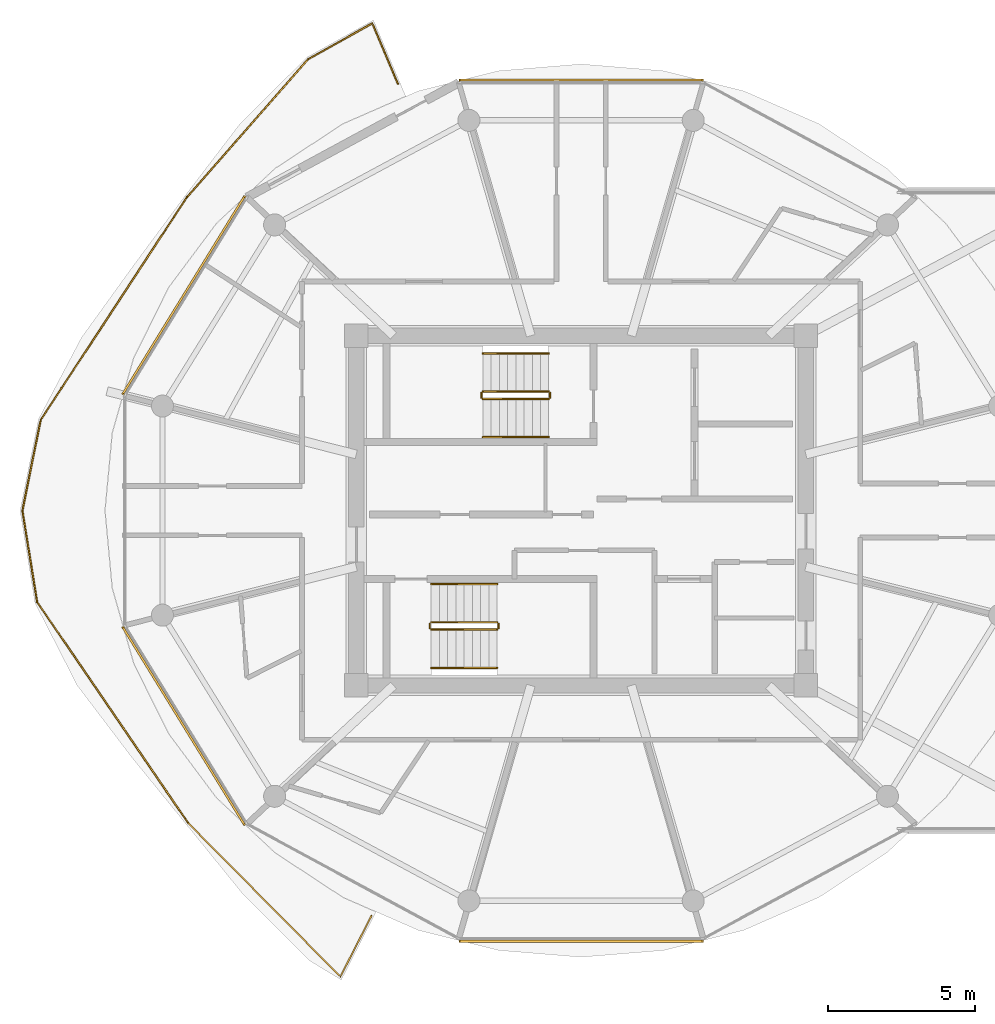
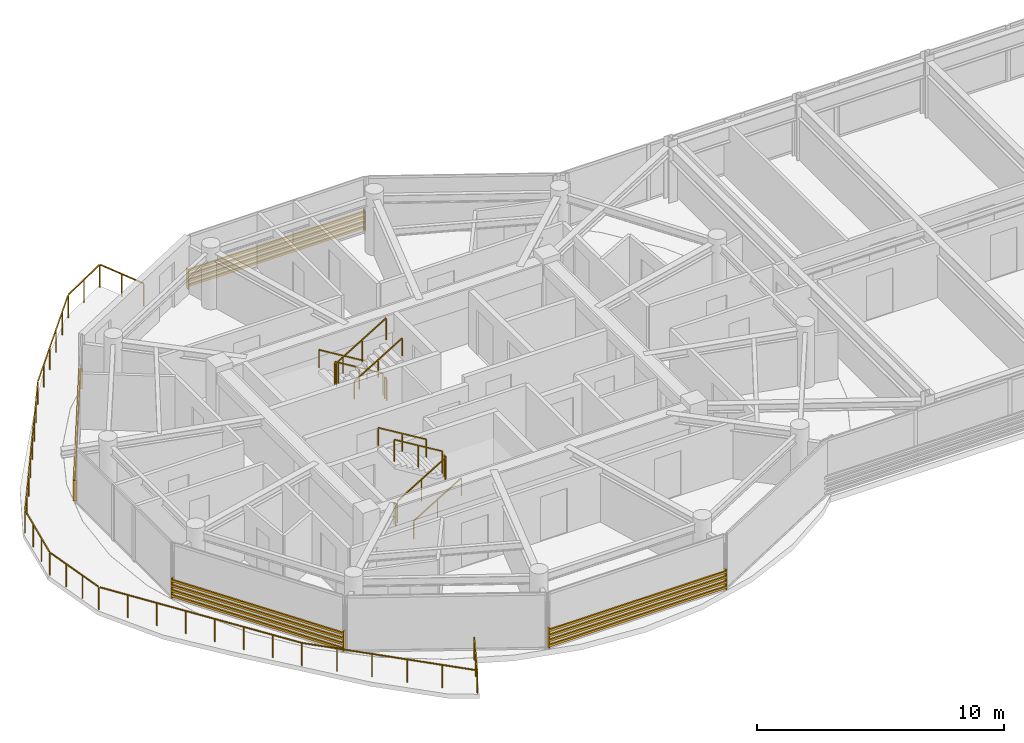
# One storey, part 21 of 23: 14 railings, 4 shading devices.
"""IFC4 building model written with IfcOpenShell, lengths in metres."""

import ifcopenshell
import ifcopenshell.guid

model = None  # the IFC model being written
_history = None  # IfcOwnerHistory: only IFC2X3 demands one
_inside = {}  # id of a spatial element -> (the spatial element, [elements in it])
_under = {}  # id of a project, library or spatial element -> (it, [spatial elements below it])
_declared = {}  # id of a project -> (the project, [libraries it declares])
_typed = {}  # id of a type object -> (the type object, [elements of that type])
_made_of = {}  # id of a material, layer set ... -> (it, [elements and type objects made of it])


def new_model(schema):
    """Start an empty IFC model of exactly this schema.

    Asked for "IFC4X3", IfcOpenShell would pick the latest addendum, in which some entities
    have other attributes; the version numbers below select the first issue.
    IFC2X3 requires an IfcOwnerHistory on every rooted entity: one is made here for all.
    """
    global model, _history
    if schema == "IFC4X3":
        model = ifcopenshell.file(schema_version=(4, 3, 0, 0))
    else:
        model = ifcopenshell.file(schema=schema)
    _inside.clear()
    _under.clear()
    _declared.clear()
    _typed.clear()
    _made_of.clear()
    _history = None
    if model.schema == "IFC2X3":
        org = make("IfcOrganization", Name="unknown")
        user = make(
            "IfcPersonAndOrganization",
            ThePerson=make("IfcPerson", FamilyName="unknown"),
            TheOrganization=org,
        )
        app = make(
            "IfcApplication",
            ApplicationDeveloper=org,
            Version="unknown",
            ApplicationFullName="unknown",
            ApplicationIdentifier="unknown",
        )
        _history = make(
            "IfcOwnerHistory",
            OwningUser=user,
            OwningApplication=app,
            ChangeAction="ADDED",
            CreationDate=0,
        )
    return model


def make(cls, **values):
    """One entity of the class cls with the attributes given. An attribute that is None is left unset."""
    return model.create_entity(
        cls, **{name: value for name, value in values.items() if value is not None}
    )


def rooted(cls, **values):
    """An entity with a GlobalId (a new one), such as an element, a storey or a relation."""
    return make(cls, GlobalId=ifcopenshell.guid.new(), OwnerHistory=_history, **values)


def si_unit(unit_type, name, prefix=None):
    """IfcSIUnit, for example si_unit("LENGTHUNIT", "METRE", prefix="MILLI")."""
    return make("IfcSIUnit", UnitType=unit_type, Prefix=prefix, Name=name)


def assignment(units):
    """IfcUnitAssignment: the units of a project."""
    return None if units is None else make("IfcUnitAssignment", Units=units)


def point(xyz):
    """IfcCartesianPoint."""
    return None if xyz is None else make("IfcCartesianPoint", Coordinates=xyz)


def direction(xyz):
    """IfcDirection."""
    return None if xyz is None else make("IfcDirection", DirectionRatios=xyz)


def frame(location, z_axis=None, x_axis=None):
    """IfcAxis2Placement3D, a coordinate frame: its origin and axes. An axis left out is left unset."""
    return make(
        "IfcAxis2Placement3D",
        Location=point(location),
        Axis=direction(z_axis),
        RefDirection=direction(x_axis),
    )


def frame_2d(location, x_axis=None):
    """IfcAxis2Placement2D, a coordinate frame in the plane: its origin and x axis."""
    return make(
        "IfcAxis2Placement2D", Location=point(location), RefDirection=direction(x_axis)
    )


def origin():
    """The frame at (0, 0, 0) with its axes left unset."""
    return frame((0.0, 0.0, 0.0))


def origin_2d():
    """The frame at (0, 0) in the plane with its x axis left unset."""
    return frame_2d((0.0, 0.0))


def place(relative_to, where):
    """IfcLocalPlacement: puts the frame where relative to a parent placement (None: the world)."""
    return make(
        "IfcLocalPlacement", PlacementRelTo=relative_to, RelativePlacement=where
    )


def context(
    kind, dimensions, precision=None, world=None, true_north=None, identifier=None
):
    """IfcGeometricRepresentationContext, for example the 3D "Model" context."""
    return make(
        "IfcGeometricRepresentationContext",
        ContextIdentifier=identifier,
        ContextType=kind,
        CoordinateSpaceDimension=dimensions,
        Precision=precision,
        WorldCoordinateSystem=world,
        TrueNorth=true_north,
    )


def subcontext(parent, identifier, kind, view, scale=None):
    """IfcGeometricRepresentationSubContext, for example "Body" below "Model"."""
    return make(
        "IfcGeometricRepresentationSubContext",
        ContextIdentifier=identifier,
        ContextType=kind,
        ParentContext=parent,
        TargetScale=scale,
        TargetView=view,
    )


def project(units=None, contexts=None):
    """IfcProject with its units and contexts."""
    return rooted(
        "IfcProject",
        Name="project",
        RepresentationContexts=contexts,
        UnitsInContext=assignment(units),
    )


def spatial(cls, under=None, at=None, **own):
    """A site, building, storey or space (cls), placed at a placement, below another one or the project."""
    s = rooted(cls, ObjectPlacement=at, **own)
    if under is not None:
        _under.setdefault(under.id(), (under, []))[1].append(s)
    return s


def profile(cls, at=None, kind="AREA", **sizes):
    """A parametric profile (cls). Its sizes go by their IFC names, for example OverallWidth=200.0."""
    return make(cls, ProfileType=kind, Position=at, **sizes)


def rectangle(**sizes):
    """IfcRectangleProfileDef."""
    return profile("IfcRectangleProfileDef", **sizes)


def extrude(swept, where, along, depth):
    """IfcExtrudedAreaSolid: the profile swept, set in the frame where, extruded along a direction by depth."""
    return make(
        "IfcExtrudedAreaSolid",
        SweptArea=swept,
        Position=where,
        ExtrudedDirection=direction(along),
        Depth=depth,
    )


def shape(context_of_items, identifier, shape_type, items):
    """IfcShapeRepresentation: the items that make up one representation, for example the "Body"."""
    return make(
        "IfcShapeRepresentation",
        ContextOfItems=context_of_items,
        RepresentationIdentifier=identifier,
        RepresentationType=shape_type,
        Items=items,
    )


def source(mapping_origin, context_of_items, identifier, shape_type, items):
    """IfcRepresentationMap: a shape defined once, which mapped items show again and again."""
    return make(
        "IfcRepresentationMap",
        MappingOrigin=mapping_origin,
        MappedRepresentation=shape(context_of_items, identifier, shape_type, items),
    )


def transform(
    local_origin,
    x_axis=None,
    y_axis=None,
    z_axis=None,
    scale=None,
    scale2=None,
    scale3=None,
    uniform=True,
):
    """IfcCartesianTransformationOperator3D, or its non-uniform kind. x_axis, y_axis, z_axis: its Axis1, 2, 3."""
    if uniform:
        return make(
            "IfcCartesianTransformationOperator3D",
            Axis1=direction(x_axis),
            Axis2=direction(y_axis),
            LocalOrigin=point(local_origin),
            Scale=scale,
            Axis3=direction(z_axis),
        )
    return make(
        "IfcCartesianTransformationOperator3DnonUniform",
        Axis1=direction(x_axis),
        Axis2=direction(y_axis),
        LocalOrigin=point(local_origin),
        Scale=scale,
        Axis3=direction(z_axis),
        Scale2=scale2,
        Scale3=scale3,
    )


def mapped(mapping_source, mapping_target):
    """IfcMappedItem: shows the shape of a source again, moved by a transform."""
    return make(
        "IfcMappedItem", MappingSource=mapping_source, MappingTarget=mapping_target
    )


def material(Name=None, Category=None):
    """IfcMaterial."""
    return make("IfcMaterial", Name=Name, Category=Category)


def made_of(thing, what):
    """Note that an element or type object is made of a material, layer set ...; save() writes the relation."""
    if what is not None:
        _made_of.setdefault(what.id(), (what, []))[1].append(thing)
    return thing


def type_object(cls, material=None, **own):
    """A type object (cls), such as IfcWallType, which elements share."""
    return made_of(rooted(cls, **own), material)


def type_shapes(of_type, sources):
    """Give a type object the sources (RepresentationMaps) that its elements show as mapped items."""
    of_type.RepresentationMaps = sources


def element(
    cls,
    number,
    at=None,
    inside=None,
    cuts=None,
    type_object=None,
    material=None,
    context=None,
    identifier="Body",
    shape_type=None,
    held_by="IfcProductDefinitionShape",
    body=None,
    shapes=None,
    **own,
):
    """One element of the class cls, such as IfcWall. Its Tag is "e" and its number.

    at: its placement. inside: the storey or other place that contains it. cuts: it is an
    opening in that element (IfcRelVoidsElement). A single representation is given by context,
    identifier, shape_type and body (its items); several are given by shapes. held_by: the class
    of the entity that holds the representations. save() writes the other relations.
    """
    e = rooted(cls, Tag="e%d" % number, ObjectPlacement=at, **own)
    if body is not None:
        shapes = [shape(context, identifier, shape_type, body)]
    if shapes is not None:
        e.Representation = make(held_by, Representations=shapes)
    if inside is not None:
        _inside.setdefault(inside.id(), (inside, []))[1].append(e)
    if cuts is not None:
        rooted(
            "IfcRelVoidsElement", RelatingBuildingElement=cuts, RelatedOpeningElement=e
        )
    if type_object is not None:
        _typed.setdefault(type_object.id(), (type_object, []))[1].append(e)
    return made_of(e, material)


def aggregate(whole, parts):
    """IfcRelAggregates: a whole, such as a stair, and the parts it consists of."""
    return rooted("IfcRelAggregates", RelatingObject=whole, RelatedObjects=parts)


def save(model, path):
    """Write the relations noted so far, then the file.

    IfcRelAggregates (storeys below a building ...), IfcRelContainedInSpatialStructure (elements
    in a storey), IfcRelDefinesByType, IfcRelAssociatesMaterial and IfcRelDeclares: one each for
    every whole, place, type object, material and project.
    """
    for whole, parts in _under.values():
        aggregate(whole, parts)
    for where, things in _inside.values():
        rooted(
            "IfcRelContainedInSpatialStructure",
            RelatedElements=things,
            RelatingStructure=where,
        )
    for kind, things in _typed.values():
        rooted("IfcRelDefinesByType", RelatedObjects=things, RelatingType=kind)
    for what, things in _made_of.values():
        rooted("IfcRelAssociatesMaterial", RelatedObjects=things, RelatingMaterial=what)
    for by, libraries in _declared.values():
        rooted("IfcRelDeclares", RelatingContext=by, RelatedDefinitions=libraries)
    model.write(path)


model = new_model("IFC4")

# Units and contexts
model_context = context("Model", 3, precision=1e-05, world=origin(), true_north=direction((0.0, 1.0)))
body_context = subcontext(model_context, "Body", "Model", "MODEL_VIEW")
ifc_project = project(units=[si_unit("LENGTHUNIT", "METRE"), si_unit("AREAUNIT", "SQUARE_METRE"), si_unit("VOLUMEUNIT", "CUBIC_METRE"), si_unit("PLANEANGLEUNIT", "RADIAN"), si_unit("MASSUNIT", "GRAM", prefix="KILO")], contexts=[model_context])

# Site, building, storey
site_placement = place(None, origin())
site = spatial("IfcSite", under=ifc_project, at=site_placement, CompositionType="ELEMENT")
building_placement = place(site_placement, origin())
building = spatial("IfcBuilding", under=site, at=building_placement, Name="Norrkilde Senior Care Towers", CompositionType="ELEMENT")
storey_placement = place(building_placement, frame((0.0, 0.0, 207.800048828125)))
storey = spatial("IfcBuildingStorey", under=building, at=storey_placement, Name="L64", CompositionType="ELEMENT", Elevation=207.800048828125)

# Railings
ifc_material_1 = material(Name="Anodised Aluminium", Category="aluminium")
railing_type_1 = type_object("IfcRailingType", Name="Balcony Swirl Ribbon Guardrail 1150", PredefinedType="GUARDRAIL", material=ifc_material_1)
railing_1_placement = place(storey_placement, frame((-41.371337890625, -10.63525390625, 0.0)))
element("IfcRailing", 1, at=railing_1_placement, inside=storey, type_object=railing_type_1, Name="L64 Perimeter Safety Guard 03", PredefinedType="GUARDRAIL", context=body_context, shape_type="SweptSolid", body=[
    extrude(rectangle(XDim=0.048095703125, YDim=0.048095703125, at=origin_2d()), frame((0.0, 0.0, 1.1259765625), z_axis=(-0.564140289712, 0.825678953059, 0.0), x_axis=(-0.825678953059, -0.564140289712, 0.0)), (0.0, 0.0, 1.0), 9.073486328125),
    extrude(rectangle(XDim=0.048095703125, YDim=0.048095703125, at=origin_2d()), frame((-5.1484375, 7.56591796875, 1.1259765625), z_axis=(-0.159215370949, 0.987243873444, 0.0), x_axis=(-0.987243873444, -0.159215370949, 0.0)), (0.0, 0.0, 1.0), 3.06640625),
    extrude(rectangle(XDim=0.048095703125, YDim=0.048095703125, at=origin_2d()), frame((-5.635009765625, 10.673583984375, 1.1259765625), z_axis=(0.197636778585, 0.980275320382, 0.0), x_axis=(-0.980275320382, 0.197636778585, 0.0)), (0.0, 0.0, 1.0), 3.06689453125),
    extrude(rectangle(XDim=0.048095703125, YDim=0.048095703125, at=origin_2d()), frame((-4.998291015625, 13.75439453125, 1.1259765625), z_axis=(0.548715768945, 0.836008974181, 0.0), x_axis=(-0.836008974181, 0.548715768945, 0.0)), (0.0, 0.0, 1.0), 8.99658203125),
    extrude(rectangle(XDim=0.048095703125, YDim=0.048095703125, at=origin_2d()), frame((-0.01220703125, 21.340576171875, 1.1259765625), z_axis=(0.660605887268, 0.75073288306, 0.0), x_axis=(-0.75073288306, 0.660605887268, 0.0)), (0.0, 0.0, 1.0), 6.170166015625),
    extrude(rectangle(XDim=0.048095703125, YDim=0.048095703125, at=origin_2d()), frame((4.12646484375, 26.0234375, 1.1259765625), z_axis=(0.872986395306, 0.487744557745, 0.0), x_axis=(-0.487744557745, 0.872986395306, 0.0)), (0.0, 0.0, 1.0), 2.411865234375),
    extrude(rectangle(XDim=0.048095703125, YDim=0.048095703125, at=origin_2d()), frame((6.28369140625, 27.18212890625, 1.1259765625), z_axis=(0.389618616962, -0.920976293569, 0.0), x_axis=(0.920976293569, 0.389618616962, 0.0)), (0.0, 0.0, 1.0), 2.19482421875),
    extrude(rectangle(XDim=0.0419921875, YDim=0.0419921875, at=origin_2d()), origin(), (0.0, 0.0, 1.0), 1.099853515625),
    extrude(rectangle(XDim=0.0419921875, YDim=0.0419921875, at=origin_2d()), frame((-0.734619140625, 1.0751953125, 0.0)), (0.0, 0.0, 1.0), 1.099853515625),
    extrude(rectangle(XDim=0.0419921875, YDim=0.0419921875, at=origin_2d()), frame((-1.468994140625, 2.150146484375, 0.0)), (0.0, 0.0, 1.0), 1.099853515625),
    extrude(rectangle(XDim=0.0419921875, YDim=0.0419921875, at=origin_2d()), frame((-2.20361328125, 3.225341796875, 0.0)), (0.0, 0.0, 1.0), 1.099853515625),
    extrude(rectangle(XDim=0.0419921875, YDim=0.0419921875, at=origin_2d()), frame((-2.938232421875, 4.30029296875, 0.0)), (0.0, 0.0, 1.0), 1.099853515625),
    extrude(rectangle(XDim=0.0419921875, YDim=0.0419921875, at=origin_2d()), frame((-3.6728515625, 5.37548828125, 0.0)), (0.0, 0.0, 1.0), 1.099853515625),
    extrude(rectangle(XDim=0.0419921875, YDim=0.0419921875, at=origin_2d()), frame((-4.4072265625, 6.450439453125, 0.0)), (0.0, 0.0, 1.0), 1.099853515625),
    extrude(rectangle(XDim=0.0419921875, YDim=0.0419921875, at=origin_2d()), frame((-5.141845703125, 7.525634765625, 0.0)), (0.0, 0.0, 1.0), 1.099853515625),
    extrude(rectangle(XDim=0.0419921875, YDim=0.0419921875, at=origin_2d()), frame((-5.308837890625, 8.5615234375, 0.0)), (0.0, 0.0, 1.0), 1.099853515625),
    extrude(rectangle(XDim=0.0419921875, YDim=0.0419921875, at=origin_2d()), frame((-5.47607421875, 9.59765625, 0.0)), (0.0, 0.0, 1.0), 1.099853515625),
    extrude(rectangle(XDim=0.0419921875, YDim=0.0419921875, at=origin_2d()), frame((-5.64306640625, 10.633544921875, 0.0)), (0.0, 0.0, 1.0), 1.099853515625),
    extrude(rectangle(XDim=0.0419921875, YDim=0.0419921875, at=origin_2d()), frame((-5.435546875, 11.662353515625, 0.0)), (0.0, 0.0, 1.0), 1.099853515625),
    extrude(rectangle(XDim=0.0419921875, YDim=0.0419921875, at=origin_2d()), frame((-5.228271484375, 12.69140625, 0.0)), (0.0, 0.0, 1.0), 1.099853515625),
    extrude(rectangle(XDim=0.0419921875, YDim=0.0419921875, at=origin_2d()), frame((-5.020751953125, 13.72021484375, 0.0)), (0.0, 0.0, 1.0), 1.099853515625),
    extrude(rectangle(XDim=0.0419921875, YDim=0.0419921875, at=origin_2d()), frame((-4.30908203125, 14.804443359375, 0.0)), (0.0, 0.0, 1.0), 1.099853515625),
    extrude(rectangle(XDim=0.0419921875, YDim=0.0419921875, at=origin_2d()), frame((-3.597412109375, 15.888671875, 0.0)), (0.0, 0.0, 1.0), 1.099853515625),
    extrude(rectangle(XDim=0.0419921875, YDim=0.0419921875, at=origin_2d()), frame((-2.8857421875, 16.972900390625, 0.0)), (0.0, 0.0, 1.0), 1.099853515625),
    extrude(rectangle(XDim=0.0419921875, YDim=0.0419921875, at=origin_2d()), frame((-2.17431640625, 18.05712890625, 0.0)), (0.0, 0.0, 1.0), 1.099853515625),
    extrude(rectangle(XDim=0.0419921875, YDim=0.0419921875, at=origin_2d()), frame((-1.462646484375, 19.141357421875, 0.0)), (0.0, 0.0, 1.0), 1.099853515625),
    extrude(rectangle(XDim=0.0419921875, YDim=0.0419921875, at=origin_2d()), frame((-0.7509765625, 20.2255859375, 0.0)), (0.0, 0.0, 1.0), 1.099853515625),
    extrude(rectangle(XDim=0.0419921875, YDim=0.0419921875, at=origin_2d()), frame((-0.039306640625, 21.309814453125, 0.0)), (0.0, 0.0, 1.0), 1.099853515625),
    extrude(rectangle(XDim=0.0419921875, YDim=0.0419921875, at=origin_2d()), frame((0.78662109375, 22.24853515625, 0.0)), (0.0, 0.0, 1.0), 1.099853515625),
    extrude(rectangle(XDim=0.0419921875, YDim=0.0419921875, at=origin_2d()), frame((1.61279296875, 23.187255859375, 0.0)), (0.0, 0.0, 1.0), 1.099853515625),
    extrude(rectangle(XDim=0.0419921875, YDim=0.0419921875, at=origin_2d()), frame((2.438720703125, 24.1259765625, 0.0)), (0.0, 0.0, 1.0), 1.099853515625),
    extrude(rectangle(XDim=0.0419921875, YDim=0.0419921875, at=origin_2d()), frame((3.264892578125, 25.064697265625, 0.0)), (0.0, 0.0, 1.0), 1.099853515625),
    extrude(rectangle(XDim=0.0419921875, YDim=0.0419921875, at=origin_2d()), frame((4.0908203125, 26.00341796875, 0.0)), (0.0, 0.0, 1.0), 1.099853515625),
    extrude(rectangle(XDim=0.0419921875, YDim=0.0419921875, at=origin_2d()), frame((5.17919921875, 26.611572265625, 0.0)), (0.0, 0.0, 1.0), 1.099853515625),
    extrude(rectangle(XDim=0.0419921875, YDim=0.0419921875, at=origin_2d()), frame((6.267822265625, 27.2197265625, 0.0)), (0.0, 0.0, 1.0), 1.099853515625),
    extrude(rectangle(XDim=0.0419921875, YDim=0.0419921875, at=origin_2d()), frame((6.703369140625, 26.190185546875, 0.0)), (0.0, 0.0, 1.0), 1.099853515625),
    extrude(rectangle(XDim=0.0419921875, YDim=0.0419921875, at=origin_2d()), frame((7.138916015625, 25.16064453125, 0.0)), (0.0, 0.0, 1.0), 1.099853515625),
])
railing_2_placement = place(storey_placement, frame((-35.130126953125, -13.784423828125, 0.0)))
element("IfcRailing", 2, at=railing_2_placement, inside=storey, type_object=railing_type_1, Name="L64 Perimeter Safety Guard 04", PredefinedType="GUARDRAIL", context=body_context, shape_type="SweptSolid", body=[
    extrude(rectangle(XDim=0.048095703125, YDim=0.048095703125, at=origin_2d()), frame((0.0, 0.0, 1.1259765625), z_axis=(-0.454853051584, -0.890566505919, 0.0), x_axis=(0.890566505919, -0.454853051584, 0.0)), (0.0, 0.0, 1.0), 2.29345703125),
    extrude(rectangle(XDim=0.048095703125, YDim=0.048095703125, at=origin_2d()), frame((-1.090576171875, -2.0498046875, 1.1259765625), z_axis=(-0.703798208364, 0.710399945034, 0.0), x_axis=(-0.710399945034, -0.703798208364, 0.0)), (0.0, 0.0, 1.0), 7.318359375),
    extrude(rectangle(XDim=0.0419921875, YDim=0.0419921875, at=origin_2d()), origin(), (0.0, 0.0, 1.0), 1.099853515625),
    extrude(rectangle(XDim=0.0419921875, YDim=0.0419921875, at=origin_2d()), frame((-0.53076171875, -1.03955078125, 0.0)), (0.0, 0.0, 1.0), 1.099853515625),
    extrude(rectangle(XDim=0.0419921875, YDim=0.0419921875, at=origin_2d()), frame((-1.061767578125, -2.078857421875, 0.0)), (0.0, 0.0, 1.0), 1.099853515625),
    extrude(rectangle(XDim=0.0419921875, YDim=0.0419921875, at=origin_2d()), frame((-2.09765625, -1.033203125, 0.0)), (0.0, 0.0, 1.0), 1.099853515625),
    extrude(rectangle(XDim=0.0419921875, YDim=0.0419921875, at=origin_2d()), frame((-3.133544921875, 0.012451171875, 0.0)), (0.0, 0.0, 1.0), 1.099853515625),
    extrude(rectangle(XDim=0.0419921875, YDim=0.0419921875, at=origin_2d()), frame((-4.16943359375, 1.057861328125, 0.0)), (0.0, 0.0, 1.0), 1.099853515625),
    extrude(rectangle(XDim=0.0419921875, YDim=0.0419921875, at=origin_2d()), frame((-5.205322265625, 2.103515625, 0.0)), (0.0, 0.0, 1.0), 1.099853515625),
    extrude(rectangle(XDim=0.0419921875, YDim=0.0419921875, at=origin_2d()), frame((-6.2412109375, 3.149169921875, 0.0)), (0.0, 0.0, 1.0), 1.099853515625),
])
ifc_material_2 = material(Name="Stainless Steel", Category="steel")
railing_type_2 = type_object("IfcRailingType", Name="Stair and Terrace Guardrail 1100", PredefinedType="GUARDRAIL", material=ifc_material_2)
railing_3_placement = place(storey_placement, frame((-29.10009765625, 4.050048828125, 0.16943359375)))
element("IfcRailing", 3, at=railing_3_placement, inside=storey, type_object=railing_type_2, Name="L64 ST-W1 stair guard 1", PredefinedType="GUARDRAIL", context=body_context, shape_type="SweptSolid", body=[
    extrude(rectangle(XDim=0.048095703125, YDim=0.048095703125, at=origin_2d()), frame((0.0, 0.0, 1.076171875), z_axis=(-0.855553338991, 0.0, 0.51771467445), x_axis=(0.0, -1.0, 0.0)), (0.0, 0.0, 1.0), 2.6181640625),
    extrude(rectangle(XDim=0.0419921875, YDim=0.0419921875, at=origin_2d()), origin(), (0.0, 0.0, 1.0), 1.050048828125),
    extrude(rectangle(XDim=0.0419921875, YDim=0.0419921875, at=origin_2d()), frame((-1.1201171875, 0.0, 0.677734375)), (0.0, 0.0, 1.0), 1.050048828125),
    extrude(rectangle(XDim=0.0419921875, YDim=0.0419921875, at=origin_2d()), frame((-2.239990234375, 0.0, 1.35546875)), (0.0, 0.0, 1.0), 1.050048828125),
])
railing_4_placement = place(storey_placement, frame((-31.389892578125, 4.0, 1.52490234375)))
element("IfcRailing", 4, at=railing_4_placement, inside=storey, type_object=railing_type_2, Name="L64 ST-W1 stair guard 2", PredefinedType="GUARDRAIL", context=body_context, shape_type="SweptSolid", body=[
    extrude(rectangle(XDim=0.048095703125, YDim=0.048095703125, at=origin_2d()), frame((0.0, 0.0, 1.076171875), z_axis=(0.0, -1.0, 0.0), x_axis=(1.0, 0.0, 0.0)), (0.0, 0.0, 1.0), 0.14990234375),
    extrude(rectangle(XDim=0.0419921875, YDim=0.0419921875, at=origin_2d()), origin(), (0.0, 0.0, 1.0), 1.050048828125),
    extrude(rectangle(XDim=0.0419921875, YDim=0.0419921875, at=origin_2d()), frame((0.0, -0.14990234375, 0.0)), (0.0, 0.0, 1.0), 1.050048828125),
])
railing_5_placement = place(storey_placement, frame((-31.340087890625, 3.800048828125, 1.6943359375)))
element("IfcRailing", 5, at=railing_5_placement, inside=storey, type_object=railing_type_2, Name="L64 ST-W1 stair guard 3", PredefinedType="GUARDRAIL", context=body_context, shape_type="SweptSolid", body=[
    extrude(rectangle(XDim=0.048095703125, YDim=0.048095703125, at=origin_2d()), frame((0.0, 0.0, 1.076171875), z_axis=(0.855512035549, 0.0, 0.517782924622), x_axis=(0.0, 1.0, 0.0)), (0.0, 0.0, 1.0), 2.618408203125),
    extrude(rectangle(XDim=0.0419921875, YDim=0.0419921875, at=origin_2d()), origin(), (0.0, 0.0, 1.0), 1.050048828125),
    extrude(rectangle(XDim=0.0419921875, YDim=0.0419921875, at=origin_2d()), frame((1.1201171875, 0.0, 0.677734375)), (0.0, 0.0, 1.0), 1.050048828125),
    extrude(rectangle(XDim=0.0419921875, YDim=0.0419921875, at=origin_2d()), frame((2.239990234375, 0.0, 1.355712890625)), (0.0, 0.0, 1.0), 1.050048828125),
])
railing_6_placement = place(storey_placement, frame((-29.050048828125, 4.0, 0.0)))
element("IfcRailing", 6, at=railing_6_placement, inside=storey, type_object=railing_type_2, Name="L64 ST-W1 stair guard 4", PredefinedType="GUARDRAIL", context=body_context, shape_type="SweptSolid", body=[
    extrude(rectangle(XDim=0.048095703125, YDim=0.048095703125, at=origin_2d()), frame((0.0, 0.0, 1.076171875), z_axis=(0.0, -1.0, 0.0), x_axis=(1.0, 0.0, 0.0)), (0.0, 0.0, 1.0), 0.14990234375),
    extrude(rectangle(XDim=0.0419921875, YDim=0.0419921875, at=origin_2d()), origin(), (0.0, 0.0, 1.0), 1.050048828125),
    extrude(rectangle(XDim=0.0419921875, YDim=0.0419921875, at=origin_2d()), frame((0.0, -0.14990234375, 0.0)), (0.0, 0.0, 1.0), 1.050048828125),
])
railing_7_placement = place(storey_placement, frame((-33.10009765625, -4.050048828125, 0.16943359375)))
element("IfcRailing", 7, at=railing_7_placement, inside=storey, type_object=railing_type_2, Name="L64 ST-W2 stair guard 1", PredefinedType="GUARDRAIL", context=body_context, shape_type="SweptSolid", body=[
    extrude(rectangle(XDim=0.048095703125, YDim=0.048095703125, at=origin_2d()), frame((0.0, 0.0, 1.076171875), z_axis=(0.855553338991, 0.0, 0.51771467445), x_axis=(0.0, 1.0, 0.0)), (0.0, 0.0, 1.0), 2.6181640625),
    extrude(rectangle(XDim=0.0419921875, YDim=0.0419921875, at=origin_2d()), origin(), (0.0, 0.0, 1.0), 1.050048828125),
    extrude(rectangle(XDim=0.0419921875, YDim=0.0419921875, at=origin_2d()), frame((1.1201171875, 0.0, 0.677734375)), (0.0, 0.0, 1.0), 1.050048828125),
    extrude(rectangle(XDim=0.0419921875, YDim=0.0419921875, at=origin_2d()), frame((2.239990234375, 0.0, 1.35546875)), (0.0, 0.0, 1.0), 1.050048828125),
])
railing_8_placement = place(storey_placement, frame((-30.81005859375, -4.0, 1.52490234375)))
element("IfcRailing", 8, at=railing_8_placement, inside=storey, type_object=railing_type_2, Name="L64 ST-W2 stair guard 2", PredefinedType="GUARDRAIL", context=body_context, shape_type="SweptSolid", body=[
    extrude(rectangle(XDim=0.048095703125, YDim=0.048095703125, at=origin_2d()), frame((0.0, 0.0, 1.076171875), z_axis=(0.0, 1.0, 0.0), x_axis=(-1.0, 0.0, 0.0)), (0.0, 0.0, 1.0), 0.14990234375),
    extrude(rectangle(XDim=0.0419921875, YDim=0.0419921875, at=origin_2d()), origin(), (0.0, 0.0, 1.0), 1.050048828125),
    extrude(rectangle(XDim=0.0419921875, YDim=0.0419921875, at=origin_2d()), frame((0.0, 0.14990234375, 0.0)), (0.0, 0.0, 1.0), 1.050048828125),
])
railing_9_placement = place(storey_placement, frame((-30.860107421875, -3.800048828125, 1.6943359375)))
element("IfcRailing", 9, at=railing_9_placement, inside=storey, type_object=railing_type_2, Name="L64 ST-W2 stair guard 3", PredefinedType="GUARDRAIL", context=body_context, shape_type="SweptSolid", body=[
    extrude(rectangle(XDim=0.048095703125, YDim=0.048095703125, at=origin_2d()), frame((0.0, 0.0, 1.076171875), z_axis=(-0.855512035549, 0.0, 0.517782924622), x_axis=(0.0, -1.0, 0.0)), (0.0, 0.0, 1.0), 2.618408203125),
    extrude(rectangle(XDim=0.0419921875, YDim=0.0419921875, at=origin_2d()), origin(), (0.0, 0.0, 1.0), 1.050048828125),
    extrude(rectangle(XDim=0.0419921875, YDim=0.0419921875, at=origin_2d()), frame((-1.1201171875, 0.0, 0.677734375)), (0.0, 0.0, 1.0), 1.050048828125),
    extrude(rectangle(XDim=0.0419921875, YDim=0.0419921875, at=origin_2d()), frame((-2.239990234375, 0.0, 1.355712890625)), (0.0, 0.0, 1.0), 1.050048828125),
])
railing_10_placement = place(storey_placement, frame((-33.14990234375, -4.0, 0.0)))
element("IfcRailing", 10, at=railing_10_placement, inside=storey, type_object=railing_type_2, Name="L64 ST-W2 stair guard 4", PredefinedType="GUARDRAIL", context=body_context, shape_type="SweptSolid", body=[
    extrude(rectangle(XDim=0.048095703125, YDim=0.048095703125, at=origin_2d()), frame((0.0, 0.0, 1.076171875), z_axis=(0.0, 1.0, 0.0), x_axis=(-1.0, 0.0, 0.0)), (0.0, 0.0, 1.0), 0.14990234375),
    extrude(rectangle(XDim=0.0419921875, YDim=0.0419921875, at=origin_2d()), origin(), (0.0, 0.0, 1.0), 1.050048828125),
    extrude(rectangle(XDim=0.0419921875, YDim=0.0419921875, at=origin_2d()), frame((0.0, 0.14990234375, 0.0)), (0.0, 0.0, 1.0), 1.050048828125),
])
ifc_material_3 = material(Name="Nordic Ash Timber", Category="wood")
railing_type_3 = type_object("IfcRailingType", Name="Wall and Stair Handrail 900", PredefinedType="HANDRAIL", material=ifc_material_3)
railing_11_placement = place(storey_placement, frame((-29.10009765625, 5.35009765625, 0.16943359375)))
element("IfcRailing", 11, at=railing_11_placement, inside=storey, type_object=railing_type_3, Name="L64 ST-W1 stair handrail 1", PredefinedType="HANDRAIL", context=body_context, shape_type="SweptSolid", body=[
    extrude(rectangle(XDim=0.048095703125, YDim=0.048095703125, at=origin_2d()), frame((0.0, 0.0, 0.8759765625), z_axis=(-0.855553338991, 0.0, 0.51771467445), x_axis=(0.0, -1.0, 0.0)), (0.0, 0.0, 1.0), 2.6181640625),
    extrude(rectangle(XDim=0.0419921875, YDim=0.0419921875, at=origin_2d()), origin(), (0.0, 0.0, 1.0), 0.849853515625),
    extrude(rectangle(XDim=0.0419921875, YDim=0.0419921875, at=origin_2d()), frame((-1.1201171875, 0.0, 0.677734375)), (0.0, 0.0, 1.0), 0.849853515625),
    extrude(rectangle(XDim=0.0419921875, YDim=0.0419921875, at=origin_2d()), frame((-2.239990234375, 0.0, 1.35546875)), (0.0, 0.0, 1.0), 0.849853515625),
])
railing_12_placement = place(storey_placement, frame((-31.340087890625, 2.5, 1.6943359375)))
element("IfcRailing", 12, at=railing_12_placement, inside=storey, type_object=railing_type_3, Name="L64 ST-W1 stair handrail 2", PredefinedType="HANDRAIL", context=body_context, shape_type="SweptSolid", body=[
    extrude(rectangle(XDim=0.048095703125, YDim=0.048095703125, at=origin_2d()), frame((0.0, 0.0, 0.8759765625), z_axis=(0.855512035549, 0.0, 0.517782924622), x_axis=(0.0, 1.0, 0.0)), (0.0, 0.0, 1.0), 2.618408203125),
    extrude(rectangle(XDim=0.0419921875, YDim=0.0419921875, at=origin_2d()), origin(), (0.0, 0.0, 1.0), 0.849853515625),
    extrude(rectangle(XDim=0.0419921875, YDim=0.0419921875, at=origin_2d()), frame((1.1201171875, 0.0, 0.677734375)), (0.0, 0.0, 1.0), 0.849853515625),
    extrude(rectangle(XDim=0.0419921875, YDim=0.0419921875, at=origin_2d()), frame((2.239990234375, 0.0, 1.355712890625)), (0.0, 0.0, 1.0), 0.849853515625),
])
railing_13_placement = place(storey_placement, frame((-33.10009765625, -5.35009765625, 0.16943359375)))
element("IfcRailing", 13, at=railing_13_placement, inside=storey, type_object=railing_type_3, Name="L64 ST-W2 stair handrail 1", PredefinedType="HANDRAIL", context=body_context, shape_type="SweptSolid", body=[
    extrude(rectangle(XDim=0.048095703125, YDim=0.048095703125, at=origin_2d()), frame((0.0, 0.0, 0.8759765625), z_axis=(0.855553338991, 0.0, 0.51771467445), x_axis=(0.0, 1.0, 0.0)), (0.0, 0.0, 1.0), 2.6181640625),
    extrude(rectangle(XDim=0.0419921875, YDim=0.0419921875, at=origin_2d()), origin(), (0.0, 0.0, 1.0), 0.849853515625),
    extrude(rectangle(XDim=0.0419921875, YDim=0.0419921875, at=origin_2d()), frame((1.1201171875, 0.0, 0.677734375)), (0.0, 0.0, 1.0), 0.849853515625),
    extrude(rectangle(XDim=0.0419921875, YDim=0.0419921875, at=origin_2d()), frame((2.239990234375, 0.0, 1.35546875)), (0.0, 0.0, 1.0), 0.849853515625),
])
railing_14_placement = place(storey_placement, frame((-30.860107421875, -2.5, 1.6943359375)))
element("IfcRailing", 14, at=railing_14_placement, inside=storey, type_object=railing_type_3, Name="L64 ST-W2 stair handrail 2", PredefinedType="HANDRAIL", context=body_context, shape_type="SweptSolid", body=[
    extrude(rectangle(XDim=0.048095703125, YDim=0.048095703125, at=origin_2d()), frame((0.0, 0.0, 0.8759765625), z_axis=(-0.855512035549, 0.0, 0.517782924622), x_axis=(0.0, -1.0, 0.0)), (0.0, 0.0, 1.0), 2.618408203125),
    extrude(rectangle(XDim=0.0419921875, YDim=0.0419921875, at=origin_2d()), origin(), (0.0, 0.0, 1.0), 0.849853515625),
    extrude(rectangle(XDim=0.0419921875, YDim=0.0419921875, at=origin_2d()), frame((-1.1201171875, 0.0, 0.677734375)), (0.0, 0.0, 1.0), 0.849853515625),
    extrude(rectangle(XDim=0.0419921875, YDim=0.0419921875, at=origin_2d()), frame((-2.239990234375, 0.0, 1.355712890625)), (0.0, 0.0, 1.0), 0.849853515625),
])

# Shading devices
ifc_material_4 = material(Name="Architectural Terracotta", Category="masonry")
shading_device_type = type_object("IfcShadingDeviceType", Name="Horizontal Terracotta Baguette Rack", PredefinedType="USERDEFINED", material=ifc_material_4)
shared_shape_1 = source(origin(), body_context, "Body", "SweptSolid", [
    extrude(rectangle(XDim=0.070068359375, YDim=0.110107421875, at=origin_2d()), frame((0.0, 0.090087890625, 0.125), z_axis=(1.0, 0.0, 0.0), x_axis=(0.0, 1.0, 0.0)), (0.0, 0.0, 1.0), 7.938232421875),
    extrude(rectangle(XDim=0.070068359375, YDim=0.110107421875, at=origin_2d()), frame((0.0, 0.090087890625, 0.375), z_axis=(1.0, 0.0, 0.0), x_axis=(0.0, 1.0, 0.0)), (0.0, 0.0, 1.0), 7.938232421875),
    extrude(rectangle(XDim=0.070068359375, YDim=0.110107421875, at=origin_2d()), frame((0.0, 0.090087890625, 0.625), z_axis=(1.0, 0.0, 0.0), x_axis=(0.0, 1.0, 0.0)), (0.0, 0.0, 1.0), 7.938232421875),
    extrude(rectangle(XDim=0.070068359375, YDim=0.110107421875, at=origin_2d()), frame((0.0, 0.090087890625, 0.875), z_axis=(1.0, 0.0, 0.0), x_axis=(0.0, 1.0, 0.0)), (0.0, 0.0, 1.0), 7.938232421875),
    extrude(rectangle(XDim=0.050048828125, YDim=0.1552734375, at=origin_2d()), frame((0.02490234375, 0.047607421875, 0.0)), (0.0, 0.0, 1.0), 1.0),
    extrude(rectangle(XDim=0.050048828125, YDim=0.1552734375, at=origin_2d()), frame((7.9130859375, 0.047607421875, 0.0)), (0.0, 0.0, 1.0), 1.0),
])
for number, where, z_axis, x_axis, name in (
    (15, (-43.531982421875, 3.903076171875, 0.079833984375), (0.0, 0.0, 1.0), (0.524250345994, 0.851576195602, 0.0), "L64 Drum W Terracotta Baguette Screen 04"),
    (16, (-39.370361328125, -10.6630859375, 0.079833984375), (0.0, 0.0, 1.0), (-0.524250345994, 0.851576195602, 0.0), "L64 Drum W Terracotta Baguette Screen 06"),
):
    element("IfcShadingDevice", number, at=place(storey_placement, frame(where, z_axis=z_axis, x_axis=x_axis)), inside=storey, type_object=shading_device_type, Name=name, ObjectType="BAGUETTE", PredefinedType="USERDEFINED", context=body_context, shape_type="MappedRepresentation", body=[
        mapped(shared_shape_1, transform((0.0, 0.0, 0.0), x_axis=(1.0, 0.0, 0.0), y_axis=(0.0, 1.0, 0.0), z_axis=(0.0, 0.0, 1.0), scale=1.0)),
    ])
shared_shape_2 = source(origin(), body_context, "Body", "SweptSolid", [
    extrude(rectangle(XDim=0.070068359375, YDim=0.110107421875, at=origin_2d()), frame((0.0, 0.090087890625, 0.125), z_axis=(1.0, 0.0, 0.0), x_axis=(0.0, 1.0, 0.0)), (0.0, 0.0, 1.0), 8.32373046875),
    extrude(rectangle(XDim=0.070068359375, YDim=0.110107421875, at=origin_2d()), frame((0.0, 0.090087890625, 0.375), z_axis=(1.0, 0.0, 0.0), x_axis=(0.0, 1.0, 0.0)), (0.0, 0.0, 1.0), 8.32373046875),
    extrude(rectangle(XDim=0.070068359375, YDim=0.110107421875, at=origin_2d()), frame((0.0, 0.090087890625, 0.625), z_axis=(1.0, 0.0, 0.0), x_axis=(0.0, 1.0, 0.0)), (0.0, 0.0, 1.0), 8.32373046875),
    extrude(rectangle(XDim=0.070068359375, YDim=0.110107421875, at=origin_2d()), frame((0.0, 0.090087890625, 0.875), z_axis=(1.0, 0.0, 0.0), x_axis=(0.0, 1.0, 0.0)), (0.0, 0.0, 1.0), 8.32373046875),
    extrude(rectangle(XDim=0.050048828125, YDim=0.1552734375, at=origin_2d()), frame((0.02490234375, 0.047607421875, 0.0)), (0.0, 0.0, 1.0), 1.0),
    extrude(rectangle(XDim=0.050048828125, YDim=0.1552734375, at=origin_2d()), frame((8.298828125, 0.047607421875, 0.0)), (0.0, 0.0, 1.0), 1.0),
])
type_shapes(shading_device_type, [shared_shape_1, shared_shape_2])
for number, where, z_axis, x_axis, name in (
    (17, (-32.161865234375, 14.566162109375, 0.079833984375), (0.0, 0.0, 1.0), (1.0, 0.0, 0.0), "L64 Drum W Terracotta Baguette Screen 02"),
    (18, (-23.838134765625, -14.566162109375, 0.079833984375), (0.0, 0.0, 1.0), (-1.0, 0.0, 0.0), "L64 Drum W Terracotta Baguette Screen 08"),
):
    element("IfcShadingDevice", number, at=place(storey_placement, frame(where, z_axis=z_axis, x_axis=x_axis)), inside=storey, type_object=shading_device_type, Name=name, ObjectType="BAGUETTE", PredefinedType="USERDEFINED", context=body_context, shape_type="MappedRepresentation", body=[
        mapped(shared_shape_2, transform((0.0, 0.0, 0.0), x_axis=(1.0, 0.0, 0.0), y_axis=(0.0, 1.0, 0.0), z_axis=(0.0, 0.0, 1.0), scale=1.0)),
    ])

save(model, "model.ifc")
